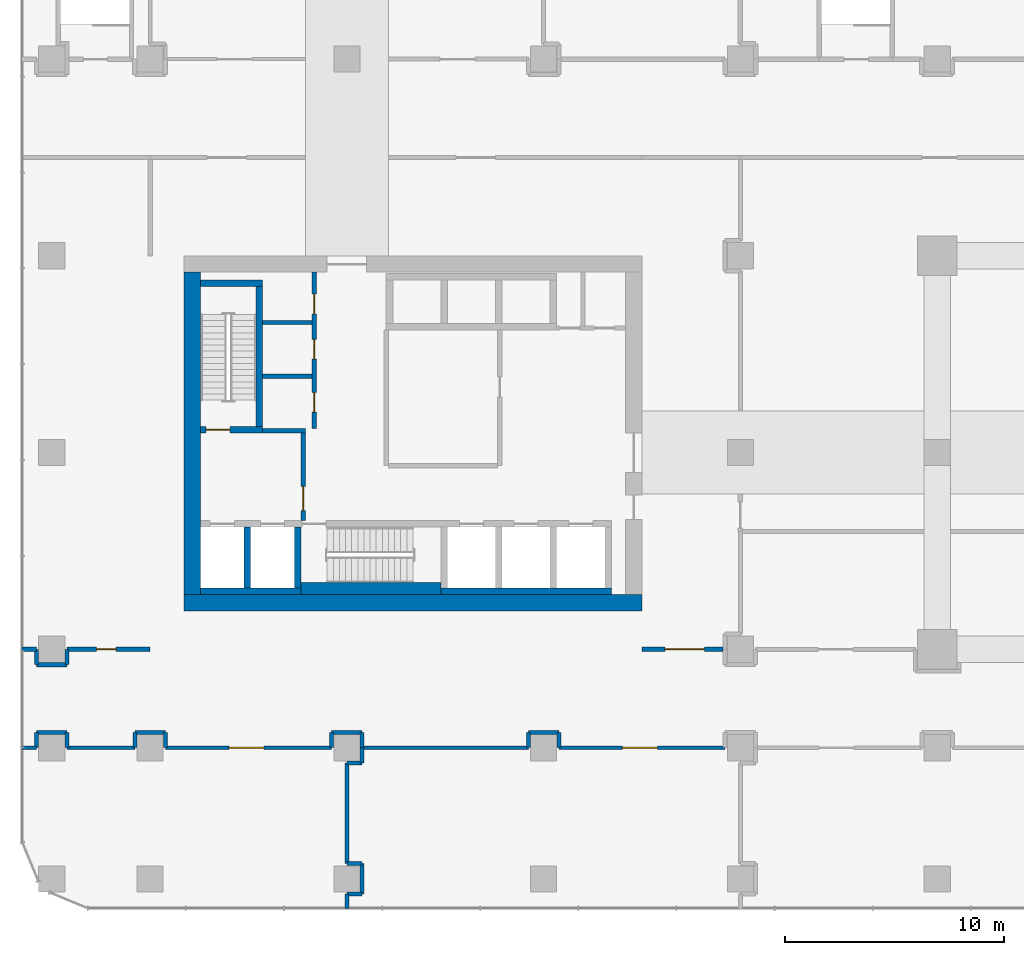
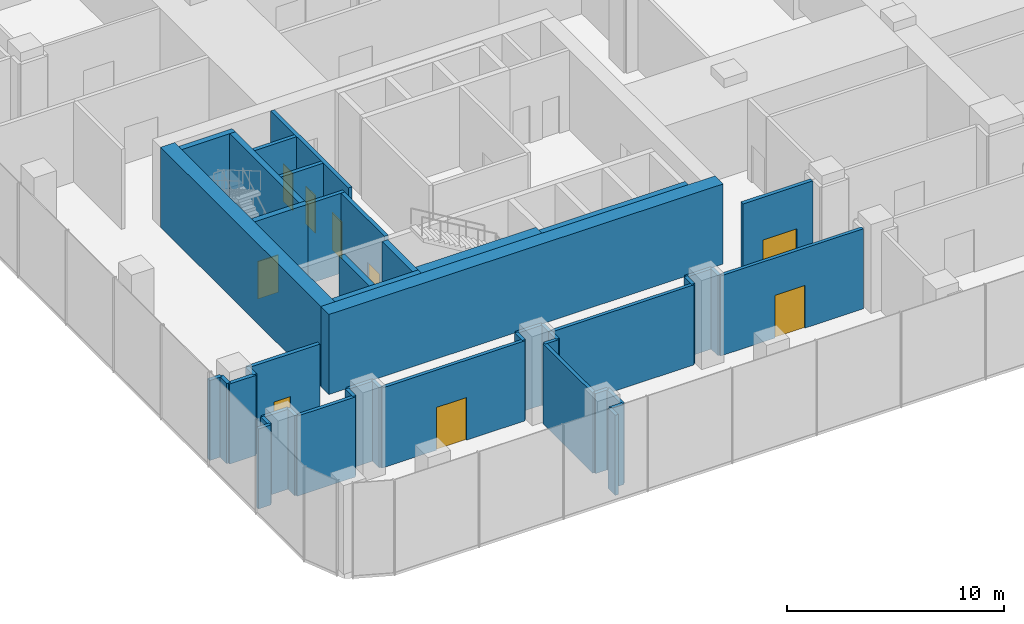
# One storey, part 23 of 36: 45 walls, 9 doors, 9 openings.
"""IFC4 building model written with IfcOpenShell, lengths in metres."""

from ifc_helpers import new_model, si_unit, direction, frame, frame_2d, origin, place, context, subcontext, project, spatial, rectangle, extrude, material, layer, layer_set, type_object, element, fill, save


model = new_model("IFC4")

# Units and contexts
model_context = context("Model", 3, precision=1e-05, world=origin(), true_north=direction((0.0, 1.0)))
body_context = subcontext(model_context, "Body", "Model", "MODEL_VIEW")
ifc_project = project(units=[si_unit("LENGTHUNIT", "METRE"), si_unit("AREAUNIT", "SQUARE_METRE"), si_unit("VOLUMEUNIT", "CUBIC_METRE"), si_unit("PLANEANGLEUNIT", "RADIAN"), si_unit("MASSUNIT", "GRAM", prefix="KILO")], contexts=[model_context])

# Site, building, storey
site_placement = place(None, origin())
site = spatial("IfcSite", under=ifc_project, at=site_placement, CompositionType="ELEMENT")
building_placement = place(site_placement, origin())
building = spatial("IfcBuilding", under=site, at=building_placement, Name="Plateau Cross Towers", CompositionType="ELEMENT")
storey_placement = place(building_placement, frame((0.0, 0.0, 21.800048828125)))
storey = spatial("IfcBuildingStorey", under=building, at=storey_placement, Name="L04", CompositionType="ELEMENT", Elevation=21.800048828125)

# Wall, opening, door
ifc_material_1 = material(Name="Concrete block, plastered both sides", Category="concrete")
ifc_layer_1 = layer(ifc_material_1, 0.199951171875)
ifc_layer_set_1 = layer_set([ifc_layer_1], Name="Concrete block, plastered both sides")
wall_type_1 = type_object("IfcWallType", Name="Core partition 200", PredefinedType="PARTITIONING", material=ifc_layer_set_1)
wall_1_placement = place(storey_placement, frame((7.0, 5.89990234375, 0.0), z_axis=(0.0, 0.0, 1.0), x_axis=(0.0, 1.0, 0.0)))
wall_1 = element("IfcWall", 1, at=wall_1_placement, inside=storey, type_object=wall_type_1, Name="Core partition", PredefinedType="PARTITIONING", context=body_context, shape_type="SweptSolid", body=[
    extrude(rectangle(XDim=4.0, YDim=0.199951171875, at=frame_2d((2.0, 0.0))), origin(), (0.0, 0.0, 1.0), 4.5),
])
opening_1_placement = place(wall_1_placement, frame((0.449951171875, 0.0, 0.0)))
opening_1 = element("IfcOpeningElement", 2, at=opening_1_placement, cuts=wall_1, Name="Opening FFD", PredefinedType="OPENING", context=body_context, shape_type="SweptSolid", body=[
    extrude(rectangle(XDim=1.10009765625, YDim=2.10009765625, at=frame_2d((0.550048828125, 1.050048828125))), frame((0.0, 0.10986328125, 0.0), z_axis=(0.0, -1.0, 0.0), x_axis=(1.0, 0.0, 0.0)), (0.0, 0.0, 1.0), 0.219970703125),
])
ifc_material_2 = material(Name="Steel, fire-resisting leaf", Category="steel")
door_type_1 = type_object("IfcDoorType", Name="Firefighting lobby door 1100", OperationType="NOTDEFINED", PredefinedType="DOOR", material=ifc_material_2)
door_1_placement = place(opening_1_placement, origin())
door_1 = element("IfcDoor", 3, at=door_1_placement, inside=storey, type_object=door_type_1, Name="Firefighting lobby door FFD", OperationType="SINGLE_SWING_LEFT", OverallHeight=2.10009765625, OverallWidth=1.10009765625, PredefinedType="DOOR", context=body_context, shape_type="SweptSolid", body=[
    extrude(rectangle(XDim=1.10009765625, YDim=2.10009765625, at=frame_2d((0.550048828125, 1.050048828125))), frame((0.0, 0.02490234375, 0.0), z_axis=(0.0, -1.0, 0.0), x_axis=(1.0, 0.0, 0.0)), (0.0, 0.0, 1.0), 0.050048828125),
])
fill(opening_1, door_1)

# Wall
wall_2_placement = place(storey_placement, frame((5.14990234375, 10.0, 0.0), z_axis=(0.0, 0.0, 1.0), x_axis=(1.0, 0.0, 0.0)))
element("IfcWall", 4, at=wall_2_placement, inside=storey, type_object=wall_type_1, Name="Core partition", PredefinedType="PARTITIONING", context=body_context, shape_type="SweptSolid", body=[
    extrude(rectangle(XDim=1.9501953125, YDim=0.199951171875, at=frame_2d((0.97509765625, 0.0))), origin(), (0.0, 0.0, 1.0), 4.5),
])

# Wall, openings, doors
wall_3_placement = place(storey_placement, frame((7.5, 10.10009765625, 0.0), z_axis=(0.0, 0.0, 1.0), x_axis=(0.0, 1.0, 0.0)))
wall_3 = element("IfcWall", 5, at=wall_3_placement, inside=storey, type_object=wall_type_1, Name="Core partition", PredefinedType="PARTITIONING", context=body_context, shape_type="SweptSolid", body=[
    extrude(rectangle(XDim=7.14990234375, YDim=0.199951171875, at=frame_2d((3.574951171875, 0.0))), origin(), (0.0, 0.0, 1.0), 4.5),
])
opening_2_placement = place(wall_3_placement, frame((0.75, 0.0, 0.0)))
opening_2 = element("IfcOpeningElement", 6, at=opening_2_placement, cuts=wall_3, Name="Opening RD1", PredefinedType="OPENING", context=body_context, shape_type="SweptSolid", body=[
    extrude(rectangle(XDim=0.89990234375, YDim=2.10009765625, at=frame_2d((0.449951171875, 1.050048828125))), frame((0.0, 0.10986328125, 0.0), z_axis=(0.0, -1.0, 0.0), x_axis=(1.0, 0.0, 0.0)), (0.0, 0.0, 1.0), 0.219970703125),
])
opening_3_placement = place(wall_3_placement, frame((3.175048828125, 0.0, 0.0)))
opening_3 = element("IfcOpeningElement", 7, at=opening_3_placement, cuts=wall_3, Name="Opening RD1", PredefinedType="OPENING", context=body_context, shape_type="SweptSolid", body=[
    extrude(rectangle(XDim=0.89990234375, YDim=2.10009765625, at=frame_2d((0.449951171875, 1.050048828125))), frame((0.0, 0.10986328125, 0.0), z_axis=(0.0, -1.0, 0.0), x_axis=(1.0, 0.0, 0.0)), (0.0, 0.0, 1.0), 0.219970703125),
])
opening_4_placement = place(wall_3_placement, frame((5.25, 0.0, 0.0)))
opening_4 = element("IfcOpeningElement", 8, at=opening_4_placement, cuts=wall_3, Name="Opening RD1", PredefinedType="OPENING", context=body_context, shape_type="SweptSolid", body=[
    extrude(rectangle(XDim=0.89990234375, YDim=2.10009765625, at=frame_2d((0.449951171875, 1.050048828125))), frame((0.0, 0.10986328125, 0.0), z_axis=(0.0, -1.0, 0.0), x_axis=(1.0, 0.0, 0.0)), (0.0, 0.0, 1.0), 0.219970703125),
])
ifc_material_3 = material(Name="Timber, fire-resisting leaf", Category="wood")
door_type_2 = type_object("IfcDoorType", Name="Core service door 900", OperationType="NOTDEFINED", PredefinedType="DOOR", material=ifc_material_3)
door_2_placement = place(opening_2_placement, origin())
door_2 = element("IfcDoor", 9, at=door_2_placement, inside=storey, type_object=door_type_2, Name="Core service door RD1", OperationType="SINGLE_SWING_RIGHT", OverallHeight=2.10009765625, OverallWidth=0.89990234375, PredefinedType="DOOR", context=body_context, shape_type="SweptSolid", body=[
    extrude(rectangle(XDim=0.89990234375, YDim=2.10009765625, at=frame_2d((0.449951171875, 1.050048828125))), frame((0.0, 0.02490234375, 0.0), z_axis=(0.0, -1.0, 0.0), x_axis=(1.0, 0.0, 0.0)), (0.0, 0.0, 1.0), 0.050048828125),
])
fill(opening_2, door_2)
door_3_placement = place(opening_3_placement, origin())
door_3 = element("IfcDoor", 10, at=door_3_placement, inside=storey, type_object=door_type_2, Name="Core service door RD1", OperationType="SINGLE_SWING_RIGHT", OverallHeight=2.10009765625, OverallWidth=0.89990234375, PredefinedType="DOOR", context=body_context, shape_type="SweptSolid", body=[
    extrude(rectangle(XDim=0.89990234375, YDim=2.10009765625, at=frame_2d((0.449951171875, 1.050048828125))), frame((0.0, 0.02490234375, 0.0), z_axis=(0.0, -1.0, 0.0), x_axis=(1.0, 0.0, 0.0)), (0.0, 0.0, 1.0), 0.050048828125),
])
fill(opening_3, door_3)
door_4_placement = place(opening_4_placement, origin())
door_4 = element("IfcDoor", 11, at=door_4_placement, inside=storey, type_object=door_type_2, Name="Core service door RD1", OperationType="SINGLE_SWING_RIGHT", OverallHeight=2.10009765625, OverallWidth=0.89990234375, PredefinedType="DOOR", context=body_context, shape_type="SweptSolid", body=[
    extrude(rectangle(XDim=0.89990234375, YDim=2.10009765625, at=frame_2d((0.449951171875, 1.050048828125))), frame((0.0, 0.02490234375, 0.0), z_axis=(0.0, -1.0, 0.0), x_axis=(1.0, 0.0, 0.0)), (0.0, 0.0, 1.0), 0.050048828125),
])
fill(opening_4, door_4)

# Walls
for number, where, z_axis, x_axis, name in (
    (12, (5.14990234375, 12.5, 0.0), (0.0, 0.0, 1.0), (1.0, 0.0, 0.0), "Core partition"),
    (13, (5.14990234375, 14.949951171875, 0.0), (0.0, 0.0, 1.0), (1.0, 0.0, 0.0), "Core partition"),
):
    element("IfcWall", number, at=place(storey_placement, frame(where, z_axis=z_axis, x_axis=x_axis)), inside=storey, type_object=wall_type_1, Name=name, PredefinedType="PARTITIONING", context=body_context, shape_type="SweptSolid", body=[
        extrude(rectangle(XDim=2.25, YDim=0.199951171875, at=frame_2d((1.125, 0.0))), origin(), (0.0, 0.0, 1.0), 4.5),
    ])
ifc_material_4 = material(Name="Concrete C60/75", Category="concrete")
ifc_layer_2 = layer(ifc_material_4, 0.300048828125)
ifc_layer_set_2 = layer_set([ifc_layer_2], Name="Concrete C60/75")
wall_type_2 = type_object("IfcWallType", Name="Core shaft wall 300", PredefinedType="SHEAR", material=ifc_layer_set_2)
wall_4_placement = place(storey_placement, frame((2.300048828125, 2.64990234375, 0.0), z_axis=(0.0, 0.0, 1.0), x_axis=(1.0, 0.0, 0.0)))
element("IfcWall", 14, at=wall_4_placement, inside=storey, type_object=wall_type_2, Name="A-sb-back1@L04", PredefinedType="SHEAR", context=body_context, shape_type="SweptSolid", body=[
    extrude(rectangle(XDim=4.599853515625, YDim=0.300048828125, at=frame_2d((2.2998046875, 0.0))), origin(), (0.0, 0.0, 1.0), 4.5),
])
wall_5_placement = place(storey_placement, frame((13.300048828125, 2.64990234375, 0.0), z_axis=(0.0, 0.0, 1.0), x_axis=(1.0, 0.0, 0.0)))
element("IfcWall", 15, at=wall_5_placement, inside=storey, type_object=wall_type_2, Name="A-sb-back3@L04", PredefinedType="SHEAR", context=body_context, shape_type="SweptSolid", body=[
    extrude(rectangle(XDim=7.800048828125, YDim=0.300048828125, at=frame_2d((3.89990234375, 0.0))), origin(), (0.0, 0.0, 1.0), 4.5),
])
for number, where, z_axis, x_axis, name in (
    (16, (4.449951171875, 2.800048828125, 0.0), (0.0, 0.0, 1.0), (0.0, 1.0, 0.0), "A-sb-v1@L04"),
    (17, (6.75, 2.800048828125, 0.0), (0.0, 0.0, 1.0), (0.0, 1.0, 0.0), "A-sb-v2@L04"),
):
    element("IfcWall", number, at=place(storey_placement, frame(where, z_axis=z_axis, x_axis=x_axis)), inside=storey, type_object=wall_type_2, Name=name, PredefinedType="SHEAR", context=body_context, shape_type="SweptSolid", body=[
        extrude(rectangle(XDim=2.800048828125, YDim=0.300048828125, at=frame_2d((1.39990234375, 0.0))), origin(), (0.0, 0.0, 1.0), 4.5),
    ])

# Wall, opening, door
wall_6_placement = place(storey_placement, frame((2.300048828125, 10.050048828125, 0.0), z_axis=(0.0, 0.0, 1.0), x_axis=(1.0, 0.0, 0.0)))
wall_6 = element("IfcWall", 18, at=wall_6_placement, inside=storey, type_object=wall_type_2, Name="A-st1-S@L04", PredefinedType="SHEAR", context=body_context, shape_type="SweptSolid", body=[
    extrude(rectangle(XDim=2.849853515625, YDim=0.300048828125, at=frame_2d((1.4248046875, 0.0))), origin(), (0.0, 0.0, 1.0), 4.5),
])
opening_5_placement = place(wall_6_placement, frame((0.25, 0.0, 0.0)))
opening_5 = element("IfcOpeningElement", 19, at=opening_5_placement, cuts=wall_6, Name="Opening SD", PredefinedType="OPENING", context=body_context, shape_type="SweptSolid", body=[
    extrude(rectangle(XDim=1.10009765625, YDim=2.10009765625, at=frame_2d((0.550048828125, 1.050048828125))), frame((0.0, 0.159912109375, 0.0), z_axis=(0.0, -1.0, 0.0), x_axis=(1.0, 0.0, 0.0)), (0.0, 0.0, 1.0), 0.320068359375),
])
door_type_3 = type_object("IfcDoorType", Name="Stair door 1100", OperationType="NOTDEFINED", PredefinedType="DOOR", material=ifc_material_2)
door_5_placement = place(opening_5_placement, origin())
door_5 = element("IfcDoor", 20, at=door_5_placement, inside=storey, type_object=door_type_3, Name="Stair door SD", OperationType="SINGLE_SWING_RIGHT", OverallHeight=2.10009765625, OverallWidth=1.10009765625, PredefinedType="DOOR", context=body_context, shape_type="SweptSolid", body=[
    extrude(rectangle(XDim=1.10009765625, YDim=2.10009765625, at=frame_2d((0.550048828125, 1.050048828125))), frame((0.0, 0.02490234375, 0.0), z_axis=(0.0, -1.0, 0.0), x_axis=(1.0, 0.0, 0.0)), (0.0, 0.0, 1.0), 0.050048828125),
])
fill(opening_5, door_5)

# Walls
wall_7_placement = place(storey_placement, frame((5.0, 10.199951171875, 0.0), z_axis=(0.0, 0.0, 1.0), x_axis=(0.0, 1.0, 0.0)))
element("IfcWall", 21, at=wall_7_placement, inside=storey, type_object=wall_type_2, Name="A-st1-E@L04", PredefinedType="SHEAR", context=body_context, shape_type="SweptSolid", body=[
    extrude(rectangle(XDim=6.400146484375, YDim=0.300048828125, at=frame_2d((3.2001953125, 0.0))), origin(), (0.0, 0.0, 1.0), 4.5),
])
wall_8_placement = place(storey_placement, frame((2.300048828125, 16.75, 0.0), z_axis=(0.0, 0.0, 1.0), x_axis=(1.0, 0.0, 0.0)))
element("IfcWall", 22, at=wall_8_placement, inside=storey, type_object=wall_type_2, Name="A-st1-N@L04", PredefinedType="SHEAR", context=body_context, shape_type="SweptSolid", body=[
    extrude(rectangle(XDim=2.849853515625, YDim=0.300048828125, at=frame_2d((1.4248046875, 0.0))), origin(), (0.0, 0.0, 1.0), 4.5),
])
ifc_layer_3 = layer(ifc_material_4, 0.550048828125)
ifc_layer_set_3 = layer_set([ifc_layer_3], Name="Concrete C60/75")
wall_type_3 = type_object("IfcWallType", Name="Core shaft wall 550", PredefinedType="SHEAR", material=ifc_layer_set_3)
wall_9_placement = place(storey_placement, frame((6.89990234375, 2.77490234375, 0.0), z_axis=(0.0, 0.0, 1.0), x_axis=(1.0, 0.0, 0.0)))
element("IfcWall", 23, at=wall_9_placement, inside=storey, type_object=wall_type_3, Name="A-sb-back2@L04", PredefinedType="SHEAR", context=body_context, shape_type="SweptSolid", body=[
    extrude(rectangle(XDim=6.400146484375, YDim=0.550048828125, at=frame_2d((3.2001953125, 0.0))), origin(), (0.0, 0.0, 1.0), 4.5),
])
ifc_layer_4 = layer(ifc_material_4, 0.75)
ifc_layer_set_4 = layer_set([ifc_layer_4], Name="Concrete C60/75")
wall_type_4 = type_object("IfcWallType", Name="Core shell wall 750", PredefinedType="SHEAR", material=ifc_layer_set_4)
wall_10_placement = place(storey_placement, frame((1.550048828125, 2.125, 0.0), z_axis=(0.0, 0.0, 1.0), x_axis=(1.0, 0.0, 0.0)))
element("IfcWall", 24, at=wall_10_placement, inside=storey, type_object=wall_type_4, Name="A-core-S@L04", PredefinedType="SHEAR", context=body_context, shape_type="SweptSolid", body=[
    extrude(rectangle(XDim=20.949951171875, YDim=0.75, at=frame_2d((10.47509765625, 0.0))), origin(), (0.0, 0.0, 1.0), 4.5),
])
wall_11_placement = place(storey_placement, frame((1.925048828125, 2.5, 0.0), z_axis=(0.0, 0.0, 1.0), x_axis=(0.0, 1.0, 0.0)))
element("IfcWall", 25, at=wall_11_placement, inside=storey, type_object=wall_type_4, Name="A-core-W@L04", PredefinedType="SHEAR", context=body_context, shape_type="SweptSolid", body=[
    extrude(rectangle(XDim=14.75, YDim=0.75, at=frame_2d((7.375, 0.0))), origin(), (0.0, 0.0, 1.0), 4.5),
])

# Wall, opening, door
ifc_material_5 = material(Name="Dense masonry block, plastered, acoustic lining", Category="masonry")
ifc_layer_5 = layer(ifc_material_5, 0.179931640625)
ifc_layer_set_5 = layer_set([ifc_layer_5], Name="Dense masonry block, plastered, acoustic lining")
wall_type_5 = type_object("IfcWallType", Name="Plant room acoustic wall 180", PredefinedType="PARTITIONING", material=ifc_layer_set_5)
wall_12_placement = place(storey_placement, frame((26.300048828125, -4.5, 0.0), z_axis=(0.0, 0.0, 1.0), x_axis=(-1.0, 0.0, 0.0)))
wall_12 = element("IfcWall", 26, at=wall_12_placement, inside=storey, type_object=wall_type_5, Name="Partition wall", PredefinedType="PARTITIONING", context=body_context, shape_type="SweptSolid", body=[
    extrude(rectangle(XDim=7.60009765625, YDim=0.179931640625, at=frame_2d((3.800048828125, 0.0))), origin(), (0.0, 0.0, 1.0), 4.5),
])
opening_6_placement = place(wall_12_placement, frame((3.10009765625, 0.0, 0.0)))
opening_6 = element("IfcOpeningElement", 27, at=opening_6_placement, cuts=wall_12, Name="Opening 04-12", PredefinedType="OPENING", context=body_context, shape_type="SweptSolid", body=[
    extrude(rectangle(XDim=1.60009765625, YDim=2.39990234375, at=frame_2d((0.800048828125, 1.199951171875))), frame((0.0, 0.099853515625, 0.0), z_axis=(0.0, -1.0, 0.0), x_axis=(1.0, 0.0, 0.0)), (0.0, 0.0, 1.0), 0.199951171875),
])
ifc_material_6 = material(Name="Steel, fire-resisting double leaf with louvre panel", Category="steel")
door_type_4 = type_object("IfcDoorType", Name="Plant room double door 1600x2400", OperationType="NOTDEFINED", PredefinedType="DOOR", material=ifc_material_6)
door_6_placement = place(opening_6_placement, origin())
door_6 = element("IfcDoor", 28, at=door_6_placement, inside=storey, type_object=door_type_4, Name="Door 04-12", OperationType="SINGLE_SWING_LEFT", OverallHeight=2.39990234375, OverallWidth=1.60009765625, PredefinedType="DOOR", context=body_context, shape_type="SweptSolid", body=[
    extrude(rectangle(XDim=1.60009765625, YDim=2.39990234375, at=frame_2d((0.800048828125, 1.199951171875))), frame((0.0, 0.02490234375, 0.0), z_axis=(0.0, -1.0, 0.0), x_axis=(1.0, 0.0, 0.0)), (0.0, 0.0, 1.0), 0.050048828125),
])
fill(opening_6, door_6)

# Walls
wall_13_placement = place(storey_placement, frame((18.699951171875, -4.5, 0.0), z_axis=(0.0, 0.0, 1.0), x_axis=(0.0, 1.0, 0.0)))
element("IfcWall", 29, at=wall_13_placement, inside=storey, type_object=wall_type_5, Name="Partition wall", PredefinedType="PARTITIONING", context=body_context, shape_type="SweptSolid", body=[
    extrude(rectangle(XDim=0.699951171875, YDim=0.179931640625, at=frame_2d((0.35009765625, 0.0))), origin(), (0.0, 0.0, 1.0), 4.5),
])
wall_14_placement = place(storey_placement, frame((18.699951171875, -3.800048828125, 0.0), z_axis=(0.0, 0.0, 1.0), x_axis=(-1.0, 0.0, 0.0)))
element("IfcWall", 30, at=wall_14_placement, inside=storey, type_object=wall_type_5, Name="Partition wall", PredefinedType="PARTITIONING", context=body_context, shape_type="SweptSolid", body=[
    extrude(rectangle(XDim=1.39990234375, YDim=0.179931640625, at=frame_2d((0.699951171875, 0.0))), origin(), (0.0, 0.0, 1.0), 4.5),
])
wall_15_placement = place(storey_placement, frame((17.300048828125, -3.800048828125, 0.0), z_axis=(0.0, 0.0, 1.0), x_axis=(0.0, -1.0, 0.0)))
element("IfcWall", 31, at=wall_15_placement, inside=storey, type_object=wall_type_5, Name="Partition wall", PredefinedType="PARTITIONING", context=body_context, shape_type="SweptSolid", body=[
    extrude(rectangle(XDim=0.699951171875, YDim=0.179931640625, at=frame_2d((0.35009765625, 0.0))), origin(), (0.0, 0.0, 1.0), 4.5),
])
wall_16_placement = place(storey_placement, frame((17.300048828125, -4.5, 0.0), z_axis=(0.0, 0.0, 1.0), x_axis=(-1.0, 0.0, 0.0)))
element("IfcWall", 32, at=wall_16_placement, inside=storey, type_object=wall_type_5, Name="Partition wall", PredefinedType="PARTITIONING", context=body_context, shape_type="SweptSolid", body=[
    extrude(rectangle(XDim=7.60009765625, YDim=0.179931640625, at=frame_2d((3.800048828125, 0.0))), origin(), (0.0, 0.0, 1.0), 4.5),
])
wall_17_placement = place(storey_placement, frame((9.699951171875, -4.5, 0.0), z_axis=(0.0, 0.0, 1.0), x_axis=(0.0, 1.0, 0.0)))
element("IfcWall", 33, at=wall_17_placement, inside=storey, type_object=wall_type_5, Name="Partition wall", PredefinedType="PARTITIONING", context=body_context, shape_type="SweptSolid", body=[
    extrude(rectangle(XDim=0.699951171875, YDim=0.179931640625, at=frame_2d((0.35009765625, 0.0))), origin(), (0.0, 0.0, 1.0), 4.5),
])
wall_18_placement = place(storey_placement, frame((9.699951171875, -3.800048828125, 0.0), z_axis=(0.0, 0.0, 1.0), x_axis=(-1.0, 0.0, 0.0)))
element("IfcWall", 34, at=wall_18_placement, inside=storey, type_object=wall_type_5, Name="Partition wall", PredefinedType="PARTITIONING", context=body_context, shape_type="SweptSolid", body=[
    extrude(rectangle(XDim=1.39990234375, YDim=0.179931640625, at=frame_2d((0.699951171875, 0.0))), origin(), (0.0, 0.0, 1.0), 4.5),
])
wall_19_placement = place(storey_placement, frame((8.300048828125, -3.800048828125, 0.0), z_axis=(0.0, 0.0, 1.0), x_axis=(0.0, -1.0, 0.0)))
element("IfcWall", 35, at=wall_19_placement, inside=storey, type_object=wall_type_5, Name="Partition wall", PredefinedType="PARTITIONING", context=body_context, shape_type="SweptSolid", body=[
    extrude(rectangle(XDim=0.699951171875, YDim=0.179931640625, at=frame_2d((0.35009765625, 0.0))), origin(), (0.0, 0.0, 1.0), 4.5),
])

# Wall, opening, door
wall_20_placement = place(storey_placement, frame((8.300048828125, -4.5, 0.0), z_axis=(0.0, 0.0, 1.0), x_axis=(-1.0, 0.0, 0.0)))
wall_20 = element("IfcWall", 36, at=wall_20_placement, inside=storey, type_object=wall_type_5, Name="Partition wall", PredefinedType="PARTITIONING", context=body_context, shape_type="SweptSolid", body=[
    extrude(rectangle(XDim=7.60009765625, YDim=0.179931640625, at=frame_2d((3.800048828125, 0.0))), origin(), (0.0, 0.0, 1.0), 4.5),
])
opening_7_placement = place(wall_20_placement, frame((3.10009765625, 0.0, 0.0)))
opening_7 = element("IfcOpeningElement", 37, at=opening_7_placement, cuts=wall_20, Name="Opening 04-11", PredefinedType="OPENING", context=body_context, shape_type="SweptSolid", body=[
    extrude(rectangle(XDim=1.60009765625, YDim=2.39990234375, at=frame_2d((0.800048828125, 1.199951171875))), frame((0.0, 0.099853515625, 0.0), z_axis=(0.0, -1.0, 0.0), x_axis=(1.0, 0.0, 0.0)), (0.0, 0.0, 1.0), 0.199951171875),
])
door_7_placement = place(opening_7_placement, origin())
door_7 = element("IfcDoor", 38, at=door_7_placement, inside=storey, type_object=door_type_4, Name="Door 04-11", OperationType="SINGLE_SWING_LEFT", OverallHeight=2.39990234375, OverallWidth=1.60009765625, PredefinedType="DOOR", context=body_context, shape_type="SweptSolid", body=[
    extrude(rectangle(XDim=1.60009765625, YDim=2.39990234375, at=frame_2d((0.800048828125, 1.199951171875))), frame((0.0, 0.02490234375, 0.0), z_axis=(0.0, -1.0, 0.0), x_axis=(1.0, 0.0, 0.0)), (0.0, 0.0, 1.0), 0.050048828125),
])
fill(opening_7, door_7)

# Walls
wall_21_placement = place(storey_placement, frame((0.699951171875, -4.5, 0.0), z_axis=(0.0, 0.0, 1.0), x_axis=(0.0, 1.0, 0.0)))
element("IfcWall", 39, at=wall_21_placement, inside=storey, type_object=wall_type_5, Name="Partition wall", PredefinedType="PARTITIONING", context=body_context, shape_type="SweptSolid", body=[
    extrude(rectangle(XDim=0.699951171875, YDim=0.179931640625, at=frame_2d((0.35009765625, 0.0))), origin(), (0.0, 0.0, 1.0), 4.5),
])
wall_22_placement = place(storey_placement, frame((0.699951171875, -3.800048828125, 0.0), z_axis=(0.0, 0.0, 1.0), x_axis=(-1.0, 0.0, 0.0)))
element("IfcWall", 40, at=wall_22_placement, inside=storey, type_object=wall_type_5, Name="Partition wall", PredefinedType="PARTITIONING", context=body_context, shape_type="SweptSolid", body=[
    extrude(rectangle(XDim=1.39990234375, YDim=0.179931640625, at=frame_2d((0.699951171875, 0.0))), origin(), (0.0, 0.0, 1.0), 4.5),
])
wall_23_placement = place(storey_placement, frame((-0.699951171875, -3.800048828125, 0.0), z_axis=(0.0, 0.0, 1.0), x_axis=(0.0, -1.0, 0.0)))
element("IfcWall", 41, at=wall_23_placement, inside=storey, type_object=wall_type_5, Name="Partition wall", PredefinedType="PARTITIONING", context=body_context, shape_type="SweptSolid", body=[
    extrude(rectangle(XDim=0.699951171875, YDim=0.179931640625, at=frame_2d((0.35009765625, 0.0))), origin(), (0.0, 0.0, 1.0), 4.5),
])
wall_24_placement = place(storey_placement, frame((-0.699951171875, -4.5, 0.0), z_axis=(0.0, 0.0, 1.0), x_axis=(-1.0, 0.0, 0.0)))
element("IfcWall", 42, at=wall_24_placement, inside=storey, type_object=wall_type_5, Name="Partition wall", PredefinedType="PARTITIONING", context=body_context, shape_type="SweptSolid", body=[
    extrude(rectangle(XDim=3.10009765625, YDim=0.179931640625, at=frame_2d((1.550048828125, 0.0))), origin(), (0.0, 0.0, 1.0), 4.5),
])
wall_25_placement = place(storey_placement, frame((-3.800048828125, -4.5, 0.0), z_axis=(0.0, 0.0, 1.0), x_axis=(0.0, 1.0, 0.0)))
element("IfcWall", 43, at=wall_25_placement, inside=storey, type_object=wall_type_5, Name="Partition wall", PredefinedType="PARTITIONING", context=body_context, shape_type="SweptSolid", body=[
    extrude(rectangle(XDim=0.699951171875, YDim=0.179931640625, at=frame_2d((0.35009765625, 0.0))), origin(), (0.0, 0.0, 1.0), 4.5),
])
wall_26_placement = place(storey_placement, frame((-3.800048828125, -3.800048828125, 0.0), z_axis=(0.0, 0.0, 1.0), x_axis=(-1.0, 0.0, 0.0)))
element("IfcWall", 44, at=wall_26_placement, inside=storey, type_object=wall_type_5, Name="Partition wall", PredefinedType="PARTITIONING", context=body_context, shape_type="SweptSolid", body=[
    extrude(rectangle(XDim=1.39990234375, YDim=0.179931640625, at=frame_2d((0.699951171875, 0.0))), origin(), (0.0, 0.0, 1.0), 4.5),
])
wall_27_placement = place(storey_placement, frame((-5.199951171875, -3.800048828125, 0.0), z_axis=(0.0, 0.0, 1.0), x_axis=(0.0, -1.0, 0.0)))
element("IfcWall", 45, at=wall_27_placement, inside=storey, type_object=wall_type_5, Name="Partition wall", PredefinedType="PARTITIONING", context=body_context, shape_type="SweptSolid", body=[
    extrude(rectangle(XDim=0.699951171875, YDim=0.179931640625, at=frame_2d((0.35009765625, 0.0))), origin(), (0.0, 0.0, 1.0), 4.5),
])
wall_28_placement = place(storey_placement, frame((-5.199951171875, -4.5, 0.0), z_axis=(0.0, 0.0, 1.0), x_axis=(-1.0, 0.0, 0.0)))
element("IfcWall", 46, at=wall_28_placement, inside=storey, type_object=wall_type_5, Name="Partition wall", PredefinedType="PARTITIONING", context=body_context, shape_type="SweptSolid", body=[
    extrude(rectangle(XDim=0.650146484375, YDim=0.179931640625, at=frame_2d((0.3251953125, 0.0))), origin(), (0.0, 0.0, 1.0), 4.5),
])
for number, where, z_axis, x_axis, name in (
    (47, (9.699951171875, -4.5, 0.0), (0.0, 0.0, 1.0), (0.0, -1.0, 0.0), "Partition wall"),
    (48, (9.699951171875, -5.199951171875, 0.0), (0.0, 0.0, 1.0), (-1.0, 0.0, 0.0), "Partition wall"),
):
    element("IfcWall", number, at=place(storey_placement, frame(where, z_axis=z_axis, x_axis=x_axis)), inside=storey, type_object=wall_type_5, Name=name, PredefinedType="PARTITIONING", context=body_context, shape_type="SweptSolid", body=[
        extrude(rectangle(XDim=0.699951171875, YDim=0.179931640625, at=frame_2d((0.35009765625, 0.0))), origin(), (0.0, 0.0, 1.0), 4.5),
    ])
wall_29_placement = place(storey_placement, frame((9.0, -5.199951171875, 0.0), z_axis=(0.0, 0.0, 1.0), x_axis=(0.0, -1.0, 0.0)))
element("IfcWall", 49, at=wall_29_placement, inside=storey, type_object=wall_type_5, Name="Partition wall", PredefinedType="PARTITIONING", context=body_context, shape_type="SweptSolid", body=[
    extrude(rectangle(XDim=4.60009765625, YDim=0.179931640625, at=frame_2d((2.300048828125, 0.0))), origin(), (0.0, 0.0, 1.0), 4.5),
])
wall_30_placement = place(storey_placement, frame((9.0, -9.800048828125, 0.0), z_axis=(0.0, 0.0, 1.0), x_axis=(1.0, 0.0, 0.0)))
element("IfcWall", 50, at=wall_30_placement, inside=storey, type_object=wall_type_5, Name="Partition wall", PredefinedType="PARTITIONING", context=body_context, shape_type="SweptSolid", body=[
    extrude(rectangle(XDim=0.699951171875, YDim=0.179931640625, at=frame_2d((0.35009765625, 0.0))), origin(), (0.0, 0.0, 1.0), 4.5),
])
wall_31_placement = place(storey_placement, frame((9.699951171875, -9.800048828125, 0.0), z_axis=(0.0, 0.0, 1.0), x_axis=(0.0, -1.0, 0.0)))
element("IfcWall", 51, at=wall_31_placement, inside=storey, type_object=wall_type_5, Name="Partition wall", PredefinedType="PARTITIONING", context=body_context, shape_type="SweptSolid", body=[
    extrude(rectangle(XDim=1.39990234375, YDim=0.179931640625, at=frame_2d((0.699951171875, 0.0))), origin(), (0.0, 0.0, 1.0), 4.5),
])
wall_32_placement = place(storey_placement, frame((9.699951171875, -11.199951171875, 0.0), z_axis=(0.0, 0.0, 1.0), x_axis=(-1.0, 0.0, 0.0)))
element("IfcWall", 52, at=wall_32_placement, inside=storey, type_object=wall_type_5, Name="Partition wall", PredefinedType="PARTITIONING", context=body_context, shape_type="SweptSolid", body=[
    extrude(rectangle(XDim=0.699951171875, YDim=0.179931640625, at=frame_2d((0.35009765625, 0.0))), origin(), (0.0, 0.0, 1.0), 4.5),
])
wall_33_placement = place(storey_placement, frame((9.0, -11.199951171875, 0.0), z_axis=(0.0, 0.0, 1.0), x_axis=(0.0, -1.0, 0.0)))
element("IfcWall", 53, at=wall_33_placement, inside=storey, type_object=wall_type_5, Name="Partition wall", PredefinedType="PARTITIONING", context=body_context, shape_type="SweptSolid", body=[
    extrude(rectangle(XDim=0.650146484375, YDim=0.179931640625, at=frame_2d((0.3251953125, 0.0))), origin(), (0.0, 0.0, 1.0), 4.5),
])

# Wall, opening, door
ifc_material_7 = material(Name="Gypsum board on steel studs, two layers each side", Category="steel")
ifc_layer_6 = layer(ifc_material_7, 0.199951171875)
ifc_layer_set_6 = layer_set([ifc_layer_6], Name="Gypsum board on steel studs, two layers each side")
wall_type_6 = type_object("IfcWallType", Name="Podium compartment wall 200", PredefinedType="PARTITIONING", material=ifc_layer_set_6)
wall_34_placement = place(storey_placement, frame((-3.800048828125, 0.0, 0.0), z_axis=(0.0, 0.0, 1.0), x_axis=(1.0, 0.0, 0.0)))
wall_34 = element("IfcWall", 54, at=wall_34_placement, inside=storey, type_object=wall_type_6, Name="Partition wall", PredefinedType="PARTITIONING", context=body_context, shape_type="SweptSolid", body=[
    extrude(rectangle(XDim=3.800048828125, YDim=0.199951171875, at=frame_2d((1.89990234375, 0.0))), origin(), (0.0, 0.0, 1.0), 4.5),
])
opening_8_placement = place(wall_34_placement, frame((1.35009765625, 0.0, 0.0)))
opening_8 = element("IfcOpeningElement", 55, at=opening_8_placement, cuts=wall_34, Name="Opening 04-27", PredefinedType="OPENING", context=body_context, shape_type="SweptSolid", body=[
    extrude(rectangle(XDim=0.89990234375, YDim=2.10009765625, at=frame_2d((0.449951171875, 1.050048828125))), frame((0.0, 0.10986328125, 0.0), z_axis=(0.0, -1.0, 0.0), x_axis=(1.0, 0.0, 0.0)), (0.0, 0.0, 1.0), 0.219970703125),
])
door_type_5 = type_object("IfcDoorType", Name="Podium service door 900", OperationType="NOTDEFINED", PredefinedType="DOOR", material=ifc_material_3)
door_8_placement = place(opening_8_placement, origin())
door_8 = element("IfcDoor", 56, at=door_8_placement, inside=storey, type_object=door_type_5, Name="Door 04-27", OperationType="SINGLE_SWING_LEFT", OverallHeight=2.10009765625, OverallWidth=0.89990234375, PredefinedType="DOOR", context=body_context, shape_type="SweptSolid", body=[
    extrude(rectangle(XDim=0.89990234375, YDim=2.10009765625, at=frame_2d((0.449951171875, 1.050048828125))), frame((0.0, 0.02490234375, 0.0), z_axis=(0.0, -1.0, 0.0), x_axis=(1.0, 0.0, 0.0)), (0.0, 0.0, 1.0), 0.050048828125),
])
fill(opening_8, door_8)

# Walls
ifc_material_8 = material(Name="Gypsum board on steel studs", Category="steel")
ifc_layer_7 = layer(ifc_material_8, 0.199951171875)
ifc_layer_set_7 = layer_set([ifc_layer_7], Name="Gypsum board on steel studs")
wall_type_7 = type_object("IfcWallType", Name="Podium partition 200", PredefinedType="PARTITIONING", material=ifc_layer_set_7)
wall_35_placement = place(storey_placement, frame((-5.199951171875, -0.699951171875, 0.0), z_axis=(0.0, 0.0, 1.0), x_axis=(1.0, 0.0, 0.0)))
element("IfcWall", 57, at=wall_35_placement, inside=storey, type_object=wall_type_7, Name="Partition wall", PredefinedType="PARTITIONING", context=body_context, shape_type="SweptSolid", body=[
    extrude(rectangle(XDim=1.39990234375, YDim=0.199951171875, at=frame_2d((0.699951171875, 0.0))), origin(), (0.0, 0.0, 1.0), 4.5),
])
wall_36_placement = place(storey_placement, frame((-3.800048828125, -0.699951171875, 0.0), z_axis=(0.0, 0.0, 1.0), x_axis=(0.0, 1.0, 0.0)))
element("IfcWall", 58, at=wall_36_placement, inside=storey, type_object=wall_type_7, Name="Partition wall", PredefinedType="PARTITIONING", context=body_context, shape_type="SweptSolid", body=[
    extrude(rectangle(XDim=0.699951171875, YDim=0.199951171875, at=frame_2d((0.35009765625, 0.0))), origin(), (0.0, 0.0, 1.0), 4.5),
])

# Wall, opening, door
wall_37_placement = place(storey_placement, frame((26.199951171875, 0.0, 0.0), z_axis=(0.0, 0.0, 1.0), x_axis=(-1.0, 0.0, 0.0)))
wall_37 = element("IfcWall", 59, at=wall_37_placement, inside=storey, type_object=wall_type_7, Name="Partition wall", PredefinedType="PARTITIONING", context=body_context, shape_type="SweptSolid", body=[
    extrude(rectangle(XDim=3.699951171875, YDim=0.199951171875, at=frame_2d((1.85009765625, 0.0))), origin(), (0.0, 0.0, 1.0), 4.5),
])
opening_9_placement = place(wall_37_placement, frame((0.85009765625, 0.0, 0.0)))
opening_9 = element("IfcOpeningElement", 60, at=opening_9_placement, cuts=wall_37, Name="Opening 04-41", PredefinedType="OPENING", context=body_context, shape_type="SweptSolid", body=[
    extrude(rectangle(XDim=1.800048828125, YDim=2.10009765625, at=frame_2d((0.89990234375, 1.050048828125))), frame((0.0, 0.10986328125, 0.0), z_axis=(0.0, -1.0, 0.0), x_axis=(1.0, 0.0, 0.0)), (0.0, 0.0, 1.0), 0.219970703125),
])
ifc_material_9 = material(Name="Aluminium frame, toughened glass", Category="aluminium")
door_type_6 = type_object("IfcDoorType", Name="Podium door pair 1800", OperationType="NOTDEFINED", PredefinedType="DOOR", material=ifc_material_9)
door_9_placement = place(opening_9_placement, origin())
door_9 = element("IfcDoor", 61, at=door_9_placement, inside=storey, type_object=door_type_6, Name="Door 04-41", OperationType="DOUBLE_DOOR_SINGLE_SWING", OverallHeight=2.10009765625, OverallWidth=1.800048828125, PredefinedType="DOOR", context=body_context, shape_type="SweptSolid", body=[
    extrude(rectangle(XDim=1.800048828125, YDim=2.10009765625, at=frame_2d((0.89990234375, 1.050048828125))), frame((0.0, 0.02490234375, 0.0), z_axis=(0.0, -1.0, 0.0), x_axis=(1.0, 0.0, 0.0)), (0.0, 0.0, 1.0), 0.050048828125),
])
fill(opening_9, door_9)

# Walls
wall_38_placement = place(storey_placement, frame((-5.85009765625, 0.0, 0.0), z_axis=(0.0, 0.0, 1.0), x_axis=(1.0, 0.0, 0.0)))
element("IfcWall", 62, at=wall_38_placement, inside=storey, type_object=wall_type_7, Name="Partition wall", PredefinedType="PARTITIONING", context=body_context, shape_type="SweptSolid", body=[
    extrude(rectangle(XDim=0.650146484375, YDim=0.199951171875, at=frame_2d((0.3251953125, 0.0))), origin(), (0.0, 0.0, 1.0), 4.5),
])
wall_39_placement = place(storey_placement, frame((-5.199951171875, 0.0, 0.0), z_axis=(0.0, 0.0, 1.0), x_axis=(0.0, -1.0, 0.0)))
element("IfcWall", 63, at=wall_39_placement, inside=storey, type_object=wall_type_7, Name="Partition wall", PredefinedType="PARTITIONING", context=body_context, shape_type="SweptSolid", body=[
    extrude(rectangle(XDim=0.699951171875, YDim=0.199951171875, at=frame_2d((0.35009765625, 0.0))), origin(), (0.0, 0.0, 1.0), 4.5),
])

save(model, "model.ifc")
